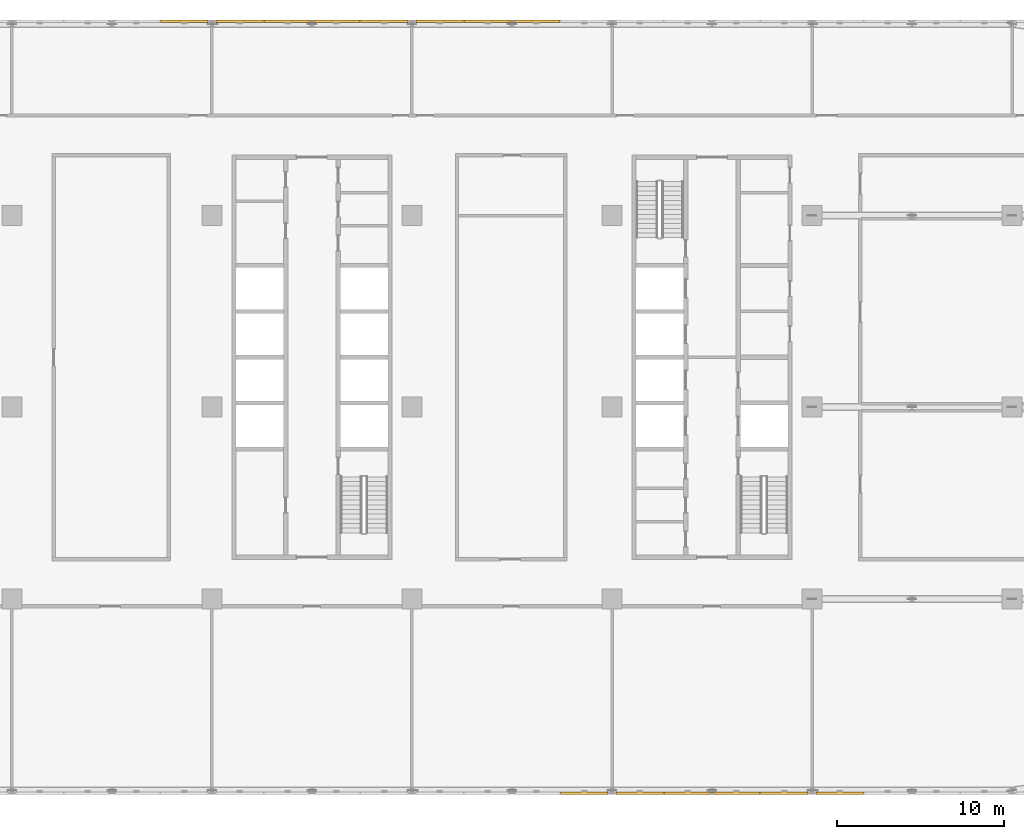
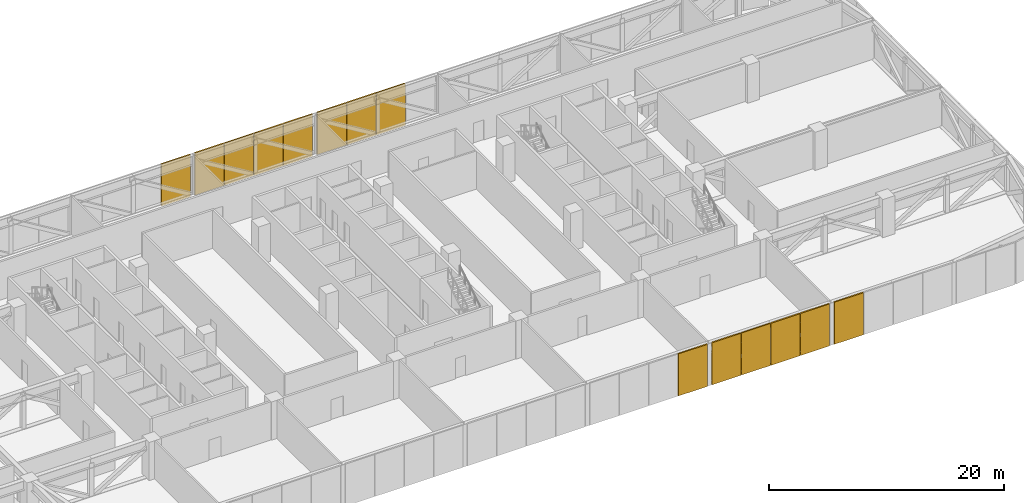
# One storey, part 24 of 26: 14 coverings.
"""IFC4 building model written with IfcOpenShell, lengths in metres."""

from ifc_helpers import new_model, si_unit, direction, frame, origin, origin_2d, place, context, subcontext, project, spatial, rectangle, extrude, material, type_object, element, save


model = new_model("IFC4")

# Units and contexts
model_context = context("Model", 3, precision=1e-05, world=origin(), true_north=direction((0.0, 1.0)))
body_context = subcontext(model_context, "Body", "Model", "MODEL_VIEW")
ifc_project = project(units=[si_unit("LENGTHUNIT", "METRE"), si_unit("AREAUNIT", "SQUARE_METRE"), si_unit("VOLUMEUNIT", "CUBIC_METRE"), si_unit("PLANEANGLEUNIT", "RADIAN"), si_unit("MASSUNIT", "GRAM", prefix="KILO")], contexts=[model_context])

# Site, building, storey
site_placement = place(None, origin())
site = spatial("IfcSite", under=ifc_project, at=site_placement, CompositionType="ELEMENT")
building_placement = place(site_placement, origin())
building = spatial("IfcBuilding", under=site, at=building_placement, Name="Mahtab Terrace Research Tower", CompositionType="ELEMENT")
storey_placement = place(building_placement, frame((0.0, 0.0, 189.60009765625)))
storey = spatial("IfcBuildingStorey", under=building, at=storey_placement, Name="L45", CompositionType="ELEMENT", Elevation=189.60009765625)

# Coverings
ifc_material = material(Name="Natural anodised aluminium", Category="aluminium")
covering_type = type_object("IfcCoveringType", Name="Plant storey louvre bay", PredefinedType="CLADDING", material=ifc_material)
for number, where, z_axis, x_axis, name in (
    (1, (13.447998046875, 23.159912109375, -0.400390625), (0.0, 0.0, 1.0), (-1.0, 0.0, 0.0), "Louvre bay L45 34"),
    (2, (10.552001953125, 23.159912109375, -0.400390625), (0.0, 0.0, 1.0), (-1.0, 0.0, 0.0), "Louvre bay L45 35"),
    (3, (7.656005859375, 23.159912109375, -0.400390625), (0.0, 0.0, 1.0), (-1.0, 0.0, 0.0), "Louvre bay L45 36"),
    (4, (4.343994140625, 23.159912109375, -0.400390625), (0.0, 0.0, 1.0), (-1.0, 0.0, 0.0), "Louvre bay L45 37"),
    (5, (1.447998046875, 23.159912109375, -0.400390625), (0.0, 0.0, 1.0), (-1.0, 0.0, 0.0), "Louvre bay L45 38"),
    (6, (-1.447998046875, 23.159912109375, -0.400390625), (0.0, 0.0, 1.0), (-1.0, 0.0, 0.0), "Louvre bay L45 39"),
    (7, (-4.343994140625, 23.159912109375, -0.400390625), (0.0, 0.0, 1.0), (-1.0, 0.0, 0.0), "Louvre bay L45 40"),
    (8, (-7.656005859375, 23.159912109375, -0.400390625), (0.0, 0.0, 1.0), (-1.0, 0.0, 0.0), "Louvre bay L45 41"),
    (9, (16.343994140625, -23.159912109375, -0.400390625), (0.0, 0.0, 1.0), (1.0, 0.0, 0.0), "Louvre bay L45 91"),
    (10, (19.656005859375, -23.159912109375, -0.400390625), (0.0, 0.0, 1.0), (1.0, 0.0, 0.0), "Louvre bay L45 92"),
    (11, (22.552001953125, -23.159912109375, -0.400390625), (0.0, 0.0, 1.0), (1.0, 0.0, 0.0), "Louvre bay L45 93"),
    (12, (25.447998046875, -23.159912109375, -0.400390625), (0.0, 0.0, 1.0), (1.0, 0.0, 0.0), "Louvre bay L45 94"),
    (13, (28.343994140625, -23.159912109375, -0.400390625), (0.0, 0.0, 1.0), (1.0, 0.0, 0.0), "Louvre bay L45 95"),
    (14, (31.656005859375, -23.159912109375, -0.400390625), (0.0, 0.0, 1.0), (1.0, 0.0, 0.0), "Louvre bay L45 96"),
):
    element("IfcCovering", number, at=place(storey_placement, frame(where, z_axis=z_axis, x_axis=x_axis)), inside=storey, type_object=covering_type, Name=name, PredefinedType="CLADDING", context=body_context, shape_type="SweptSolid", body=[
        extrude(rectangle(XDim=2.85595703125, YDim=0.139892578125, at=origin_2d()), origin(), (0.0, 0.0, 1.0), 4.360107421875),
    ])

save(model, "model.ifc")
